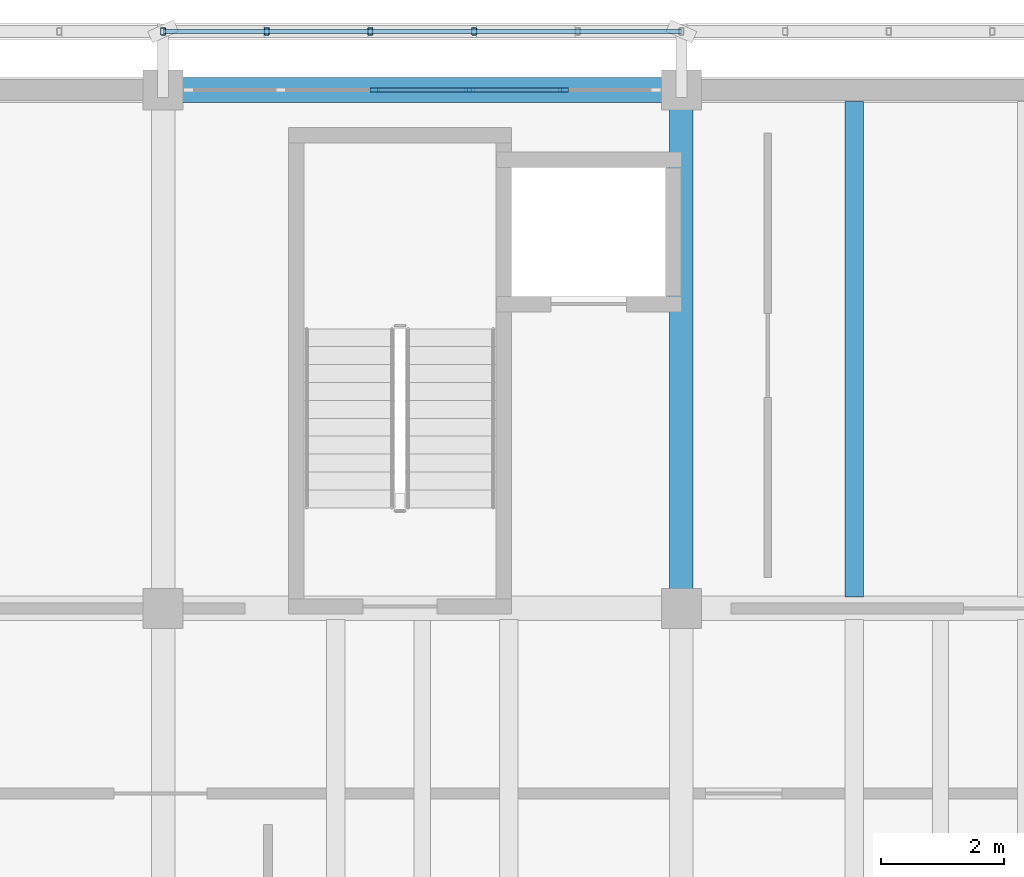
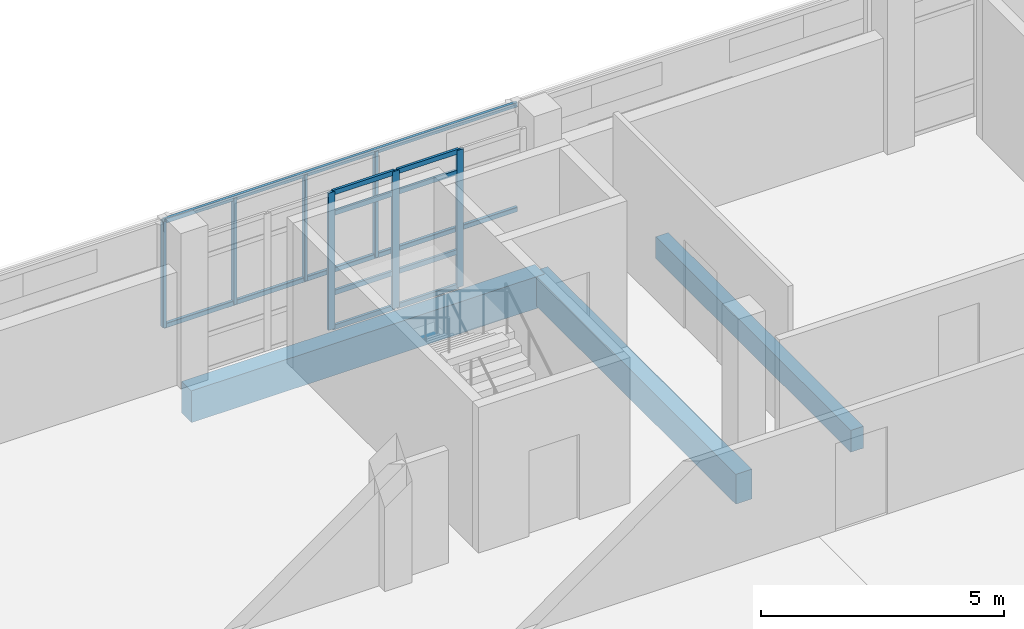
# One storey, part 49 of 117: 17 members, 3 beams, 1 element without a shape of its own.
"""IFC4 building model written with IfcOpenShell, lengths in metres."""

from ifc_helpers import new_model, si_unit, direction, frame, origin, origin_2d, place, context, subcontext, project, spatial, rectangle, hollow_rectangle, extrude, material, material_profile, profile_set, type_object, element, aggregate, save


model = new_model("IFC4")

# Units and contexts
model_context = context("Model", 3, precision=1e-05, world=origin(), true_north=direction((0.0, 1.0)))
body_context = subcontext(model_context, "Body", "Model", "MODEL_VIEW")
ifc_project = project(units=[si_unit("LENGTHUNIT", "METRE"), si_unit("AREAUNIT", "SQUARE_METRE"), si_unit("VOLUMEUNIT", "CUBIC_METRE"), si_unit("PLANEANGLEUNIT", "RADIAN"), si_unit("MASSUNIT", "GRAM", prefix="KILO")], contexts=[model_context])

# Site, building, storey
site_placement = place(None, origin())
site = spatial("IfcSite", under=ifc_project, at=site_placement, CompositionType="ELEMENT")
building_placement = place(site_placement, origin())
building = spatial("IfcBuilding", under=site, at=building_placement, Name="Cinderway Yard Community Centre", CompositionType="ELEMENT")
storey_placement = place(building_placement, frame((0.0, 0.0, 9.0)))
storey = spatial("IfcBuildingStorey", under=building, at=storey_placement, Name="L02", CompositionType="ELEMENT", Elevation=9.0)

# Curtain wall, members
ifc_material_1 = material(Name="Aluminium 6063-T6", Category="aluminium")
curtain_wall_type = type_object("IfcCurtainWallType", Name="ENV-CW-TYPE-29", PredefinedType="USERDEFINED", material=ifc_material_1)
curtain_wall_placement = place(storey_placement, origin())
curtain_wall = element("IfcCurtainWall", 1, at=curtain_wall_placement, inside=storey, type_object=curtain_wall_type, Name="V4 Street Curtain Wall ENV-CW-L02-ST-0145", ObjectType="GLAZED CURTAIN WALL", PredefinedType="USERDEFINED")
ifc_material_profile_1 = material_profile(ifc_material_1, rectangle(XDim=0.06005859375, YDim=0.159912109375, at=origin_2d()), Name="Aluminium 6063-T6")
ifc_profile_set_1 = profile_set([ifc_material_profile_1], Name="Aluminium 6063-T6")
member_type_1 = type_object("IfcMemberType", Name="ENV-CW-MULL-150", PredefinedType="MULLION", material=ifc_profile_set_1)
member_1_placement = place(storey_placement, frame((61.8359375, 115.199951171875, 0.0), z_axis=(0.0, 0.0, 1.0), x_axis=(0.0, 1.0, 0.0)))
member_1 = element("IfcMember", 2, at=member_1_placement, type_object=member_type_1, Name="CW-29 mullion 3", PredefinedType="MULLION", context=body_context, shape_type="SweptSolid", body=[
    extrude(rectangle(XDim=0.06005859375, YDim=0.159912109375, at=origin_2d()), origin(), (0.0, 0.0, 1.0), 3.449951171875),
])
member_2_placement = place(storey_placement, frame((63.364013671875, 115.199951171875, 0.0), z_axis=(0.0, 0.0, 1.0), x_axis=(0.0, 1.0, 0.0)))
member_2 = element("IfcMember", 3, at=member_2_placement, type_object=member_type_1, Name="CW-29 mullion 4", PredefinedType="MULLION", context=body_context, shape_type="SweptSolid", body=[
    extrude(rectangle(XDim=0.06005859375, YDim=0.159912109375, at=origin_2d()), origin(), (0.0, 0.0, 1.0), 3.449951171875),
])
member_3_placement = place(storey_placement, frame((64.89208984375, 115.199951171875, 0.0), z_axis=(0.0, 0.0, 1.0), x_axis=(0.0, 1.0, 0.0)))
member_3 = element("IfcMember", 4, at=member_3_placement, type_object=member_type_1, Name="CW-29 mullion 5", PredefinedType="MULLION", context=body_context, shape_type="SweptSolid", body=[
    extrude(rectangle(XDim=0.06005859375, YDim=0.159912109375, at=origin_2d()), origin(), (0.0, 0.0, 1.0), 3.449951171875),
])
ifc_material_profile_2 = material_profile(ifc_material_1, rectangle(XDim=0.06005859375, YDim=0.1201171875, at=origin_2d()), Name="Aluminium 6063-T6")
ifc_profile_set_2 = profile_set([ifc_material_profile_2], Name="Aluminium 6063-T6")
member_type_2 = type_object("IfcMemberType", Name="ENV-CW-TRAN-110", PredefinedType="USERDEFINED", material=ifc_profile_set_2)
member_4_placement = place(storey_placement, frame((61.865966796875, 115.199951171875, 0.030029296875), z_axis=(1.0, 0.0, 0.0), x_axis=(0.0, 1.0, 0.0)))
member_4 = element("IfcMember", 5, at=member_4_placement, type_object=member_type_2, Name="CW-29 transom 3.1", ObjectType="TRANSOM", PredefinedType="USERDEFINED", context=body_context, shape_type="SweptSolid", body=[
    extrude(rectangle(XDim=0.06005859375, YDim=0.1201171875, at=origin_2d()), origin(), (0.0, 0.0, 1.0), 1.468017578125),
])
member_5_placement = place(storey_placement, frame((61.865966796875, 115.199951171875, 0.89990234375), z_axis=(1.0, 0.0, 0.0), x_axis=(0.0, 1.0, 0.0)))
member_5 = element("IfcMember", 6, at=member_5_placement, type_object=member_type_2, Name="CW-29 transom 3.2", ObjectType="TRANSOM", PredefinedType="USERDEFINED", context=body_context, shape_type="SweptSolid", body=[
    extrude(rectangle(XDim=0.06005859375, YDim=0.1201171875, at=origin_2d()), origin(), (0.0, 0.0, 1.0), 1.468017578125),
])
member_6_placement = place(storey_placement, frame((61.865966796875, 115.199951171875, 2.89990234375), z_axis=(1.0, 0.0, 0.0), x_axis=(0.0, 1.0, 0.0)))
member_6 = element("IfcMember", 7, at=member_6_placement, type_object=member_type_2, Name="CW-29 transom 3.3", ObjectType="TRANSOM", PredefinedType="USERDEFINED", context=body_context, shape_type="SweptSolid", body=[
    extrude(rectangle(XDim=0.06005859375, YDim=0.1201171875, at=origin_2d()), origin(), (0.0, 0.0, 1.0), 1.468017578125),
])
member_7_placement = place(storey_placement, frame((61.865966796875, 115.199951171875, 3.419921875), z_axis=(1.0, 0.0, 0.0), x_axis=(0.0, 1.0, 0.0)))
member_7 = element("IfcMember", 8, at=member_7_placement, type_object=member_type_2, Name="CW-29 transom 3.4", ObjectType="TRANSOM", PredefinedType="USERDEFINED", context=body_context, shape_type="SweptSolid", body=[
    extrude(rectangle(XDim=0.06005859375, YDim=0.1201171875, at=origin_2d()), origin(), (0.0, 0.0, 1.0), 1.468017578125),
])
member_8_placement = place(storey_placement, frame((63.39404296875, 115.199951171875, 0.030029296875), z_axis=(1.0, 0.0, 0.0), x_axis=(0.0, 1.0, 0.0)))
member_8 = element("IfcMember", 9, at=member_8_placement, type_object=member_type_2, Name="CW-29 transom 4.1", ObjectType="TRANSOM", PredefinedType="USERDEFINED", context=body_context, shape_type="SweptSolid", body=[
    extrude(rectangle(XDim=0.06005859375, YDim=0.1201171875, at=origin_2d()), origin(), (0.0, 0.0, 1.0), 1.468017578125),
])
member_9_placement = place(storey_placement, frame((63.39404296875, 115.199951171875, 0.89990234375), z_axis=(1.0, 0.0, 0.0), x_axis=(0.0, 1.0, 0.0)))
member_9 = element("IfcMember", 10, at=member_9_placement, type_object=member_type_2, Name="CW-29 transom 4.2", ObjectType="TRANSOM", PredefinedType="USERDEFINED", context=body_context, shape_type="SweptSolid", body=[
    extrude(rectangle(XDim=0.06005859375, YDim=0.1201171875, at=origin_2d()), origin(), (0.0, 0.0, 1.0), 1.468017578125),
])
member_10_placement = place(storey_placement, frame((63.39404296875, 115.199951171875, 2.89990234375), z_axis=(1.0, 0.0, 0.0), x_axis=(0.0, 1.0, 0.0)))
member_10 = element("IfcMember", 11, at=member_10_placement, type_object=member_type_2, Name="CW-29 transom 4.3", ObjectType="TRANSOM", PredefinedType="USERDEFINED", context=body_context, shape_type="SweptSolid", body=[
    extrude(rectangle(XDim=0.06005859375, YDim=0.1201171875, at=origin_2d()), origin(), (0.0, 0.0, 1.0), 1.468017578125),
])
member_11_placement = place(storey_placement, frame((63.39404296875, 115.199951171875, 3.419921875), z_axis=(1.0, 0.0, 0.0), x_axis=(0.0, 1.0, 0.0)))
member_11 = element("IfcMember", 12, at=member_11_placement, type_object=member_type_2, Name="CW-29 transom 4.4", ObjectType="TRANSOM", PredefinedType="USERDEFINED", context=body_context, shape_type="SweptSolid", body=[
    extrude(rectangle(XDim=0.06005859375, YDim=0.1201171875, at=origin_2d()), origin(), (0.0, 0.0, 1.0), 1.468017578125),
])
aggregate(curtain_wall, [member_1, member_2, member_3, member_4, member_5, member_6, member_7, member_8, member_9, member_10, member_11])

# Members
ifc_material_2 = material(Name="Steel S355", Category="steel")
ifc_material_profile_3 = material_profile(ifc_material_2, hollow_rectangle(XDim=0.080078125, YDim=0.1201171875, WallThickness=0.00634765625, InnerFilletRadius=0.00634765625, OuterFilletRadius=0.0126953125, at=origin_2d()), Name="Steel S355")
ifc_profile_set_3 = profile_set([ifc_material_profile_3], Name="Steel S355")
member_type_3 = type_object("IfcMemberType", Name="ENV-MEM-SCREEN-RAIL-120", PredefinedType="STRINGER", material=ifc_profile_set_3)
member_12_placement = place(storey_placement, frame((58.39990234375, 116.14990234375, 0.68994140625), z_axis=(0.0, 0.0, 1.0), x_axis=(1.0, 0.0, 0.0)))
element("IfcMember", 13, at=member_12_placement, inside=storey, type_object=member_type_3, Name="Screen vertical mullion 0113", PredefinedType="STRINGER", context=body_context, shape_type="SweptSolid", body=[
    extrude(hollow_rectangle(XDim=0.080078125, YDim=0.1201171875, WallThickness=0.00634765625, InnerFilletRadius=0.00634765625, OuterFilletRadius=0.0126953125, at=origin_2d()), origin(), (0.0, 0.0, 1.0), 2.670166015625),
])
for number, where, z_axis, x_axis, name in (
    (14, (58.39990234375, 116.14990234375, 0.7099609375), (1.0, 0.0, 0.0), (0.0, 1.0, 0.0), "Screen support rail 0115-BOT"),
    (15, (58.39990234375, 116.14990234375, 3.340087890625), (1.0, 0.0, 0.0), (0.0, 1.0, 0.0), "Screen support rail 0116-TOP"),
):
    element("IfcMember", number, at=place(storey_placement, frame(where, z_axis=z_axis, x_axis=x_axis)), inside=storey, type_object=member_type_3, Name=name, PredefinedType="STRINGER", context=body_context, shape_type="SweptSolid", body=[
        extrude(hollow_rectangle(XDim=0.080078125, YDim=0.1201171875, WallThickness=0.00634765625, InnerFilletRadius=0.00634765625, OuterFilletRadius=0.0126953125, at=origin_2d()), origin(), (0.0, 0.0, 1.0), 8.400146484375),
    ])
for number, where, z_axis, x_axis, name in (
    (16, (60.080078125, 116.14990234375, 0.68994140625), (0.0, 0.0, 1.0), (1.0, 0.0, 0.0), "Screen vertical mullion 0117"),
    (17, (61.760009765625, 116.14990234375, 0.68994140625), (0.0, 0.0, 1.0), (1.0, 0.0, 0.0), "Screen vertical mullion 0118"),
    (18, (63.43994140625, 116.14990234375, 0.68994140625), (0.0, 0.0, 1.0), (1.0, 0.0, 0.0), "Screen vertical mullion 0119"),
):
    element("IfcMember", number, at=place(storey_placement, frame(where, z_axis=z_axis, x_axis=x_axis)), inside=storey, type_object=member_type_3, Name=name, PredefinedType="STRINGER", context=body_context, shape_type="SweptSolid", body=[
        extrude(hollow_rectangle(XDim=0.080078125, YDim=0.1201171875, WallThickness=0.00634765625, InnerFilletRadius=0.00634765625, OuterFilletRadius=0.0126953125, at=origin_2d()), origin(), (0.0, 0.0, 1.0), 2.670166015625),
    ])

# Beams
ifc_material_3 = material(Name="Concrete C35/45", Category="concrete")
ifc_material_profile_4 = material_profile(ifc_material_3, rectangle(XDim=0.300048828125, YDim=0.550048828125, at=origin_2d()), Name="Concrete C35/45")
ifc_profile_set_4 = profile_set([ifc_material_profile_4], Name="Concrete C35/45")
beam_type_1 = type_object("IfcBeamType", Name="STR-BM-RC300X550", PredefinedType="JOIST", material=ifc_profile_set_4)
beam_1_placement = place(storey_placement, frame((69.60009765625, 106.98193359375, -0.514892578125), z_axis=(0.0, 1.0, 0.0), x_axis=(-1.0, 0.0, 0.0)))
element("IfcBeam", 19, at=beam_1_placement, inside=storey, type_object=beam_type_1, Name="Secondary joist STR-BM-L02-BJ03-0603", PredefinedType="JOIST", context=body_context, shape_type="SweptSolid", body=[
    extrude(rectangle(XDim=0.300048828125, YDim=0.550048828125, at=origin_2d()), origin(), (0.0, 0.0, 1.0), 8.0361328125),
])
ifc_material_profile_5 = material_profile(ifc_material_3, rectangle(XDim=0.3798828125, YDim=0.75, at=origin_2d()), Name="Concrete C35/45")
ifc_profile_set_5 = profile_set([ifc_material_profile_5], Name="Concrete C35/45")
beam_type_2 = type_object("IfcBeamType", Name="STR-BM-RC380X750", PredefinedType="BEAM", material=ifc_profile_set_5)
beam_2_placement = place(storey_placement, frame((66.800048828125, 106.800048828125, -0.614990234375), z_axis=(0.0, 1.0, 0.0), x_axis=(-1.0, 0.0, 0.0)))
element("IfcBeam", 20, at=beam_2_placement, inside=storey, type_object=beam_type_2, Name="Transverse girder STR-BM-L02-BG06-0555", PredefinedType="BEAM", context=body_context, shape_type="SweptSolid", body=[
    extrude(rectangle(XDim=0.3798828125, YDim=0.75, at=origin_2d()), origin(), (0.0, 0.0, 1.0), 8.39990234375),
])
ifc_material_4 = material(Name="Concrete C40/50", Category="concrete")
ifc_material_profile_6 = material_profile(ifc_material_4, rectangle(XDim=0.39990234375, YDim=0.800048828125, at=origin_2d()), Name="Concrete C40/50")
ifc_profile_set_6 = profile_set([ifc_material_profile_6], Name="Concrete C40/50")
beam_type_3 = type_object("IfcBeamType", Name="STR-BM-RC400X800", PredefinedType="BEAM", material=ifc_profile_set_6)
beam_3_placement = place(storey_placement, frame((58.39990234375, 115.199951171875, -0.639892578125), z_axis=(1.0, 0.0, 0.0), x_axis=(0.0, 1.0, 0.0)))
element("IfcBeam", 21, at=beam_3_placement, inside=storey, type_object=beam_type_3, Name="Primary girder STR-BM-L02-BG05-0534", PredefinedType="BEAM", context=body_context, shape_type="SweptSolid", body=[
    extrude(rectangle(XDim=0.39990234375, YDim=0.800048828125, at=origin_2d()), origin(), (0.0, 0.0, 1.0), 8.400146484375),
])

save(model, "model.ifc")
